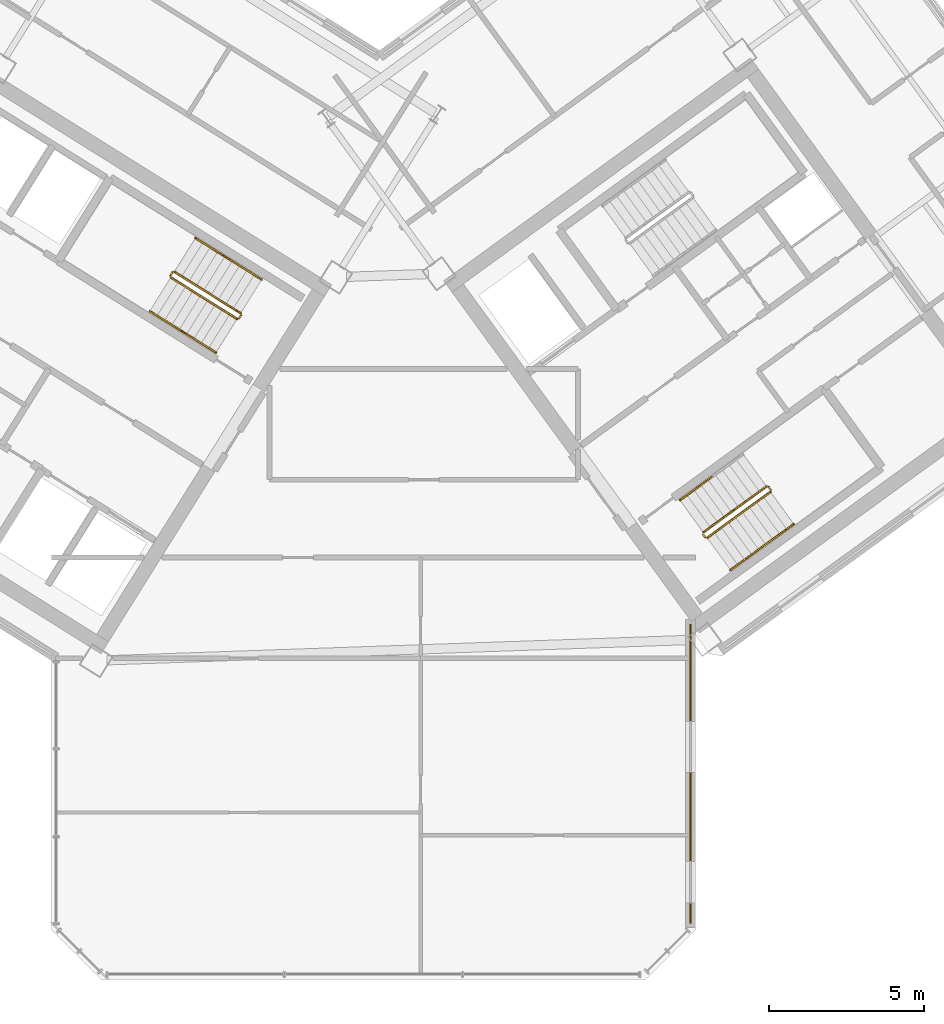
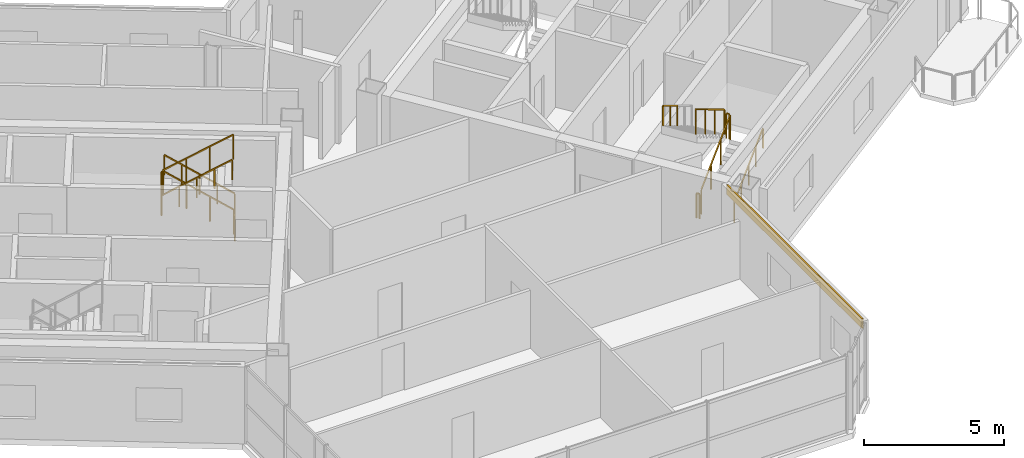
# One storey, part 19 of 21: 15 railings, 1 covering.
"""IFC4 building model written with IfcOpenShell, lengths in metres."""

from ifc_helpers import new_model, si_unit, direction, frame, origin, origin_2d, place, context, subcontext, project, spatial, rectangle, extrude, source, transform, mapped, material, layer, layer_set, type_object, element, save


model = new_model("IFC4")

# Units and contexts
model_context = context("Model", 3, precision=1e-05, world=origin(), true_north=direction((0.0, 1.0)))
body_context = subcontext(model_context, "Body", "Model", "MODEL_VIEW")
ifc_project = project(units=[si_unit("LENGTHUNIT", "METRE"), si_unit("AREAUNIT", "SQUARE_METRE"), si_unit("VOLUMEUNIT", "CUBIC_METRE"), si_unit("PLANEANGLEUNIT", "RADIAN"), si_unit("MASSUNIT", "GRAM", prefix="KILO")], contexts=[model_context])

# Site, building, storey
site_placement = place(None, origin())
site = spatial("IfcSite", under=ifc_project, at=site_placement, CompositionType="ELEMENT")
building_placement = place(site_placement, origin())
building = spatial("IfcBuilding", under=site, at=building_placement, Name="Tlacorven Tower", CompositionType="ELEMENT")
storey_placement = place(building_placement, frame((0.0, 0.0, 214.800048828125)))
storey = spatial("IfcBuildingStorey", under=building, at=storey_placement, Name="L54", CompositionType="ELEMENT", Elevation=214.800048828125)

# Covering
ifc_material_1 = material(Name="Precast concrete C45/55", Category="concrete")
ifc_layer = layer(ifc_material_1, 0.06005859375)
ifc_layer_set = layer_set([ifc_layer], Name="Precast concrete C45/55")
covering_type = type_object("IfcCoveringType", Name="CV-CLD-TERC", PredefinedType="CLADDING", material=ifc_layer_set)
shared_shape_1 = source(origin(), body_context, "Body", "SweptSolid", [
    extrude(rectangle(XDim=9.647705078125, YDim=0.06005859375, at=origin_2d()), origin(), (0.0, 0.0, 1.0), 0.419921875),
])
covering_placement = place(storey_placement, frame((52.239990234375, 8.440185546875, 2.929931640625), z_axis=(0.0, 0.0, 1.0), x_axis=(0.0, -1.0, 0.0)))
element("IfcCovering", 1, at=covering_placement, inside=storey, type_object=covering_type, Name="L54 Masonry-Frame Spandrel Cladding 7", PredefinedType="CLADDING", context=body_context, shape_type="MappedRepresentation", body=[
    mapped(shared_shape_1, transform((0.0, 0.0, 0.0), scale=1.0)),
])

# Railings
ifc_material_2 = material(Name="Aluminium and painted steel balustrade", Category="steel")
railing_type_1 = type_object("IfcRailingType", Name="RL-GRD-1100", PredefinedType="GUARDRAIL", material=ifc_material_2)
shared_shape_2 = source(origin(), body_context, "Body", "SweptSolid", [
    extrude(rectangle(XDim=0.048095703125, YDim=0.048095703125, at=origin_2d()), frame((0.0, 0.0, 1.076171875), z_axis=(-0.713319727316, 0.445773895627, 0.540796265334), x_axis=(-0.529955395941, -0.84802551749, 0.0)), (0.0, 0.0, 1.0), 2.995849609375),
    extrude(rectangle(XDim=0.0419921875, YDim=0.0419921875, at=origin_2d()), origin(), (0.0, 0.0, 1.0), 1.052001953125),
    extrude(rectangle(XDim=0.0419921875, YDim=0.0419921875, at=origin_2d()), frame((-0.71240234375, 0.445068359375, 0.5400390625)), (0.0, 0.0, 1.0), 1.052001953125),
    extrude(rectangle(XDim=0.0419921875, YDim=0.0419921875, at=origin_2d()), frame((-1.424560546875, 0.890380859375, 1.080078125)), (0.0, 0.0, 1.0), 1.052001953125),
    extrude(rectangle(XDim=0.0419921875, YDim=0.0419921875, at=origin_2d()), frame((-2.136962890625, 1.33544921875, 1.6201171875)), (0.0, 0.0, 1.0), 1.052001953125),
])
railing_1_placement = place(storey_placement, frame((37.712158203125, 23.3095703125, 0.179931640625)))
element("IfcRailing", 2, at=railing_1_placement, inside=storey, type_object=railing_type_1, Name="L54 ST-W2 stair guard 1", PredefinedType="GUARDRAIL", context=body_context, shape_type="MappedRepresentation", body=[
    mapped(shared_shape_2, transform((0.0, 0.0, 0.0), scale=1.0)),
])
shared_shape_3 = source(origin(), body_context, "Body", "SweptSolid", [
    extrude(rectangle(XDim=0.048095703125, YDim=0.048095703125, at=origin_2d()), frame((0.0, 0.0, 1.076171875), z_axis=(-0.530546985787, -0.847655529016, 0.0), x_axis=(0.847655529016, -0.530546985787, 0.0)), (0.0, 0.0, 1.0), 0.1201171875),
    extrude(rectangle(XDim=0.0419921875, YDim=0.0419921875, at=origin_2d()), origin(), (0.0, 0.0, 1.0), 1.052001953125),
    extrude(rectangle(XDim=0.0419921875, YDim=0.0419921875, at=origin_2d()), frame((-0.063720703125, -0.101806640625, 0.0)), (0.0, 0.0, 1.0), 1.052001953125),
])
railing_2_placement = place(storey_placement, frame((37.728271484375, 23.24072265625, 0.0)))
element("IfcRailing", 3, at=railing_2_placement, inside=storey, type_object=railing_type_1, Name="L54 ST-W2 stair guard 4", PredefinedType="GUARDRAIL", context=body_context, shape_type="MappedRepresentation", body=[
    mapped(shared_shape_3, transform((0.0, 0.0, 0.0), scale=1.0)),
])
railing_type_2 = type_object("IfcRailingType", Name="RL-HND-0900", PredefinedType="HANDRAIL", material=ifc_material_2)
shared_shape_4 = source(origin(), body_context, "Body", "SweptSolid", [
    extrude(rectangle(XDim=0.048095703125, YDim=0.048095703125, at=origin_2d()), frame((0.0, 0.0, 0.8759765625), z_axis=(-0.713359751793, 0.4457479829, 0.540764828981), x_axis=(-0.529911857636, -0.848052724267, 0.0)), (0.0, 0.0, 1.0), 1.498046875),
    extrude(rectangle(XDim=0.0419921875, YDim=0.0419921875, at=origin_2d()), origin(), (0.0, 0.0, 1.0), 0.851806640625),
    extrude(rectangle(XDim=0.0419921875, YDim=0.0419921875, at=origin_2d()), frame((-0.5341796875, 0.333984375, 0.405029296875)), (0.0, 0.0, 1.0), 0.851806640625),
    extrude(rectangle(XDim=0.0419921875, YDim=0.0419921875, at=origin_2d()), frame((-1.068603515625, 0.667724609375, 0.81005859375)), (0.0, 0.0, 1.0), 0.851806640625),
])
for number, where, name in (
    (4, (38.390625, 24.39501953125, 0.179931640625), "L54 ST-W2 stair handrail 1"),
    (5, (37.322021484375, 25.062744140625, 0.989990234375), "L54 ST-W2 stair handrail 2"),
):
    element("IfcRailing", number, at=place(storey_placement, frame(where)), inside=storey, type_object=railing_type_2, Name=name, PredefinedType="HANDRAIL", context=body_context, shape_type="MappedRepresentation", body=[
        mapped(shared_shape_4, transform((0.0, 0.0, 0.0), scale=1.0)),
    ])
shared_shape_5 = source(origin(), body_context, "Body", "SweptSolid", [
    extrude(rectangle(XDim=0.048095703125, YDim=0.048095703125, at=origin_2d()), frame((0.0, 0.0, 0.8759765625), z_axis=(0.713359751793, -0.4457479829, 0.540764828981), x_axis=(0.529911857636, 0.848052724267, 0.0)), (0.0, 0.0, 1.0), 1.498046875),
    extrude(rectangle(XDim=0.0419921875, YDim=0.0419921875, at=origin_2d()), origin(), (0.0, 0.0, 1.0), 0.851806640625),
    extrude(rectangle(XDim=0.0419921875, YDim=0.0419921875, at=origin_2d()), frame((0.5341796875, -0.333984375, 0.405029296875)), (0.0, 0.0, 1.0), 0.851806640625),
    extrude(rectangle(XDim=0.0419921875, YDim=0.0419921875, at=origin_2d()), frame((1.068603515625, -0.667724609375, 0.81005859375)), (0.0, 0.0, 1.0), 0.851806640625),
])
railing_3_placement = place(storey_placement, frame((34.7802734375, 23.372802734375, 1.97998046875)))
element("IfcRailing", 6, at=railing_3_placement, inside=storey, type_object=railing_type_2, Name="L54 ST-W2 stair handrail 3", PredefinedType="HANDRAIL", context=body_context, shape_type="MappedRepresentation", body=[
    mapped(shared_shape_5, transform((0.0, 0.0, 0.0), scale=1.0)),
])
shared_shape_6 = source(origin(), body_context, "Body", "SweptSolid", [
    extrude(rectangle(XDim=0.048095703125, YDim=0.048095703125, at=origin_2d()), frame((0.0, 0.0, 0.8759765625), z_axis=(0.713422621445, -0.445787267455, 0.540649494022), x_axis=(0.529911857636, 0.848052724267, 0.0)), (0.0, 0.0, 1.0), 1.497802734375),
    extrude(rectangle(XDim=0.0419921875, YDim=0.0419921875, at=origin_2d()), origin(), (0.0, 0.0, 1.0), 0.851806640625),
    extrude(rectangle(XDim=0.0419921875, YDim=0.0419921875, at=origin_2d()), frame((0.5341796875, -0.333984375, 0.40478515625)), (0.0, 0.0, 1.0), 0.851806640625),
    extrude(rectangle(XDim=0.0419921875, YDim=0.0419921875, at=origin_2d()), frame((1.068603515625, -0.667724609375, 0.809814453125)), (0.0, 0.0, 1.0), 0.851806640625),
])
railing_4_placement = place(storey_placement, frame((35.848876953125, 22.705078125, 2.7900390625)))
element("IfcRailing", 7, at=railing_4_placement, inside=storey, type_object=railing_type_2, Name="L54 ST-W2 stair handrail 4", PredefinedType="HANDRAIL", context=body_context, shape_type="MappedRepresentation", body=[
    mapped(shared_shape_6, transform((0.0, 0.0, 0.0), scale=1.0)),
])
shared_shape_7 = source(origin(), body_context, "Body", "SweptSolid", [
    extrude(rectangle(XDim=0.048095703125, YDim=0.048095703125, at=origin_2d()), frame((0.0, 0.0, 1.076171875), z_axis=(-0.531462422766, -0.847081869236, 0.0), x_axis=(0.847081869236, -0.531462422766, 0.0)), (0.0, 0.0, 1.0), 0.119873046875),
    extrude(rectangle(XDim=0.0419921875, YDim=0.0419921875, at=origin_2d()), origin(), (0.0, 0.0, 1.0), 1.052001953125),
    extrude(rectangle(XDim=0.0419921875, YDim=0.0419921875, at=origin_2d()), frame((-0.063720703125, -0.1015625, 0.0)), (0.0, 0.0, 1.0), 1.052001953125),
])
railing_5_placement = place(storey_placement, frame((35.50634765625, 24.62890625, 1.800048828125)))
element("IfcRailing", 8, at=railing_5_placement, inside=storey, type_object=railing_type_1, Name="L54 ST-W2 stair guard 2", PredefinedType="GUARDRAIL", context=body_context, shape_type="MappedRepresentation", body=[
    mapped(shared_shape_7, transform((0.0, 0.0, 0.0), scale=1.0)),
])
shared_shape_8 = source(origin(), body_context, "Body", "SweptSolid", [
    extrude(rectangle(XDim=0.048095703125, YDim=0.048095703125, at=origin_2d()), frame((0.0, 0.0, 1.076171875), z_axis=(0.713417101326, -0.445702322042, 0.540726806865), x_axis=(0.52984217967, 0.848096259066, 0.0)), (0.0, 0.0, 1.0), 2.995849609375),
    extrude(rectangle(XDim=0.0419921875, YDim=0.0419921875, at=origin_2d()), origin(), (0.0, 0.0, 1.0), 1.052001953125),
    extrude(rectangle(XDim=0.0419921875, YDim=0.0419921875, at=origin_2d()), frame((0.71240234375, -0.445068359375, 0.5400390625)), (0.0, 0.0, 1.0), 1.052001953125),
    extrude(rectangle(XDim=0.0419921875, YDim=0.0419921875, at=origin_2d()), frame((1.4248046875, -0.89013671875, 1.079833984375)), (0.0, 0.0, 1.0), 1.052001953125),
    extrude(rectangle(XDim=0.0419921875, YDim=0.0419921875, at=origin_2d()), frame((2.13720703125, -1.335205078125, 1.619873046875)), (0.0, 0.0, 1.0), 1.052001953125),
])
railing_6_placement = place(storey_placement, frame((35.45849609375, 24.458251953125, 1.97998046875)))
element("IfcRailing", 9, at=railing_6_placement, inside=storey, type_object=railing_type_1, Name="L54 ST-W2 stair guard 3", PredefinedType="GUARDRAIL", context=body_context, shape_type="MappedRepresentation", body=[
    mapped(shared_shape_8, transform((0.0, 0.0, 0.0), scale=1.0)),
])
shared_shape_9 = source(origin(), body_context, "Body", "SweptSolid", [
    extrude(rectangle(XDim=0.048095703125, YDim=0.048095703125, at=origin_2d()), frame((0.0, 0.0, 1.076171875), z_axis=(-0.587567097037, 0.809175448515, 0.0), x_axis=(-0.809175448515, -0.587567097037, 0.0)), (0.0, 0.0, 1.0), 0.1201171875),
    extrude(rectangle(XDim=0.0419921875, YDim=0.0419921875, at=origin_2d()), origin(), (0.0, 0.0, 1.0), 1.052001953125),
    extrude(rectangle(XDim=0.0419921875, YDim=0.0419921875, at=origin_2d()), frame((-0.070556640625, 0.09716796875, 0.0)), (0.0, 0.0, 1.0), 1.052001953125),
])
for number, where, name in (
    (10, (54.8310546875, 17.605712890625, 1.800048828125), "L54 ST-E2 stair guard 2"),
    (11, (52.71142578125, 16.065673828125, 0.0), "L54 ST-E2 stair guard 4"),
):
    element("IfcRailing", number, at=place(storey_placement, frame(where)), inside=storey, type_object=railing_type_1, Name=name, PredefinedType="GUARDRAIL", context=body_context, shape_type="MappedRepresentation", body=[
        mapped(shared_shape_9, transform((0.0, 0.0, 0.0), scale=1.0)),
    ])
shared_shape_10 = source(origin(), body_context, "Body", "SweptSolid", [
    extrude(rectangle(XDim=0.048095703125, YDim=0.048095703125, at=origin_2d()), frame((0.0, 0.0, 0.8759765625), z_axis=(0.680516055757, 0.494372502302, 0.540826891737), x_axis=(-0.587745292299, 0.809046025502, 0.0)), (0.0, 0.0, 1.0), 1.497802734375),
    extrude(rectangle(XDim=0.0419921875, YDim=0.0419921875, at=origin_2d()), origin(), (0.0, 0.0, 1.0), 0.851806640625),
    extrude(rectangle(XDim=0.0419921875, YDim=0.0419921875, at=origin_2d()), frame((0.509765625, 0.3701171875, 0.405029296875)), (0.0, 0.0, 1.0), 0.851806640625),
    extrude(rectangle(XDim=0.0419921875, YDim=0.0419921875, at=origin_2d()), frame((1.019287109375, 0.740478515625, 0.81005859375)), (0.0, 0.0, 1.0), 0.851806640625),
])
railing_7_placement = place(storey_placement, frame((54.552978515625, 15.759765625, 0.989990234375)))
element("IfcRailing", 12, at=railing_7_placement, inside=storey, type_object=railing_type_2, Name="L54 ST-E2 stair handrail 2", PredefinedType="HANDRAIL", context=body_context, shape_type="MappedRepresentation", body=[
    mapped(shared_shape_10, transform((0.0, 0.0, 0.0), scale=1.0)),
])
shared_shape_11 = source(origin(), body_context, "Body", "SweptSolid", [
    extrude(rectangle(XDim=0.048095703125, YDim=0.048095703125, at=origin_2d()), frame((0.0, 0.0, 0.8759765625), z_axis=(-0.680521190579, -0.494539231669, 0.540667973449), x_axis=(0.587872112667, -0.808953879494, 0.0)), (0.0, 0.0, 1.0), 1.497802734375),
    extrude(rectangle(XDim=0.0419921875, YDim=0.0419921875, at=origin_2d()), origin(), (0.0, 0.0, 1.0), 0.851806640625),
    extrude(rectangle(XDim=0.0419921875, YDim=0.0419921875, at=origin_2d()), frame((-0.509765625, -0.370361328125, 0.40478515625)), (0.0, 0.0, 1.0), 0.851806640625),
    extrude(rectangle(XDim=0.0419921875, YDim=0.0419921875, at=origin_2d()), frame((-1.019287109375, -0.74072265625, 0.809814453125)), (0.0, 0.0, 1.0), 0.851806640625),
])
railing_8_placement = place(storey_placement, frame((52.9189453125, 18.0087890625, 2.7900390625)))
element("IfcRailing", 13, at=railing_8_placement, inside=storey, type_object=railing_type_2, Name="L54 ST-E2 stair handrail 4", PredefinedType="HANDRAIL", context=body_context, shape_type="MappedRepresentation", body=[
    mapped(shared_shape_11, transform((0.0, 0.0, 0.0), scale=1.0)),
])
shared_shape_12 = source(origin(), body_context, "Body", "SweptSolid", [
    extrude(rectangle(XDim=0.048095703125, YDim=0.048095703125, at=origin_2d()), frame((0.0, 0.0, 1.076171875), z_axis=(0.680532390839, 0.494406659708, 0.54077511024), x_axis=(-0.587762637553, 0.809033424462, 0.0)), (0.0, 0.0, 1.0), 2.995849609375),
    extrude(rectangle(XDim=0.0419921875, YDim=0.0419921875, at=origin_2d()), origin(), (0.0, 0.0, 1.0), 1.052001953125),
    extrude(rectangle(XDim=0.0419921875, YDim=0.0419921875, at=origin_2d()), frame((0.6796875, 0.49365234375, 0.5400390625)), (0.0, 0.0, 1.0), 1.052001953125),
    extrude(rectangle(XDim=0.0419921875, YDim=0.0419921875, at=origin_2d()), frame((1.359130859375, 0.987548828125, 1.080078125)), (0.0, 0.0, 1.0), 1.052001953125),
    extrude(rectangle(XDim=0.0419921875, YDim=0.0419921875, at=origin_2d()), frame((2.038818359375, 1.481201171875, 1.6201171875)), (0.0, 0.0, 1.0), 1.052001953125),
])
railing_9_placement = place(storey_placement, frame((52.78125, 16.0546875, 0.179931640625)))
element("IfcRailing", 14, at=railing_9_placement, inside=storey, type_object=railing_type_1, Name="L54 ST-E2 stair guard 1", PredefinedType="GUARDRAIL", context=body_context, shape_type="MappedRepresentation", body=[
    mapped(shared_shape_12, transform((0.0, 0.0, 0.0), scale=1.0)),
])
shared_shape_13 = source(origin(), body_context, "Body", "SweptSolid", [
    extrude(rectangle(XDim=0.048095703125, YDim=0.048095703125, at=origin_2d()), frame((0.0, 0.0, 0.8759765625), z_axis=(0.680461216233, 0.494495647917, 0.540783309093), x_axis=(-0.587872112667, 0.808953879494, 0.0)), (0.0, 0.0, 1.0), 1.498046875),
    extrude(rectangle(XDim=0.0419921875, YDim=0.0419921875, at=origin_2d()), origin(), (0.0, 0.0, 1.0), 0.851806640625),
    extrude(rectangle(XDim=0.0419921875, YDim=0.0419921875, at=origin_2d()), frame((0.509765625, 0.370361328125, 0.405029296875)), (0.0, 0.0, 1.0), 0.851806640625),
    extrude(rectangle(XDim=0.0419921875, YDim=0.0419921875, at=origin_2d()), frame((1.019287109375, 0.74072265625, 0.81005859375)), (0.0, 0.0, 1.0), 0.851806640625),
])
railing_10_placement = place(storey_placement, frame((53.53369140625, 15.01904296875, 0.179931640625)))
element("IfcRailing", 15, at=railing_10_placement, inside=storey, type_object=railing_type_2, Name="L54 ST-E2 stair handrail 1", PredefinedType="HANDRAIL", context=body_context, shape_type="MappedRepresentation", body=[
    mapped(shared_shape_13, transform((0.0, 0.0, 0.0), scale=1.0)),
])
shared_shape_14 = source(origin(), body_context, "Body", "SweptSolid", [
    extrude(rectangle(XDim=0.048095703125, YDim=0.048095703125, at=origin_2d()), frame((0.0, 0.0, 1.076171875), z_axis=(-0.680562380517, -0.494428447203, 0.540717446381), x_axis=(0.587762637553, -0.809033424462, 0.0)), (0.0, 0.0, 1.0), 2.995849609375),
    extrude(rectangle(XDim=0.0419921875, YDim=0.0419921875, at=origin_2d()), origin(), (0.0, 0.0, 1.0), 1.052001953125),
    extrude(rectangle(XDim=0.0419921875, YDim=0.0419921875, at=origin_2d()), frame((-0.6796875, -0.49365234375, 0.5400390625)), (0.0, 0.0, 1.0), 1.052001953125),
    extrude(rectangle(XDim=0.0419921875, YDim=0.0419921875, at=origin_2d()), frame((-1.359130859375, -0.987548828125, 1.079833984375)), (0.0, 0.0, 1.0), 1.052001953125),
    extrude(rectangle(XDim=0.0419921875, YDim=0.0419921875, at=origin_2d()), frame((-2.038818359375, -1.481201171875, 1.619873046875)), (0.0, 0.0, 1.0), 1.052001953125),
])
railing_11_placement = place(storey_placement, frame((54.690673828125, 17.7138671875, 1.97998046875)))
element("IfcRailing", 16, at=railing_11_placement, inside=storey, type_object=railing_type_1, Name="L54 ST-E2 stair guard 3", PredefinedType="GUARDRAIL", context=body_context, shape_type="MappedRepresentation", body=[
    mapped(shared_shape_14, transform((0.0, 0.0, 0.0), scale=1.0)),
])

save(model, "model.ifc")
